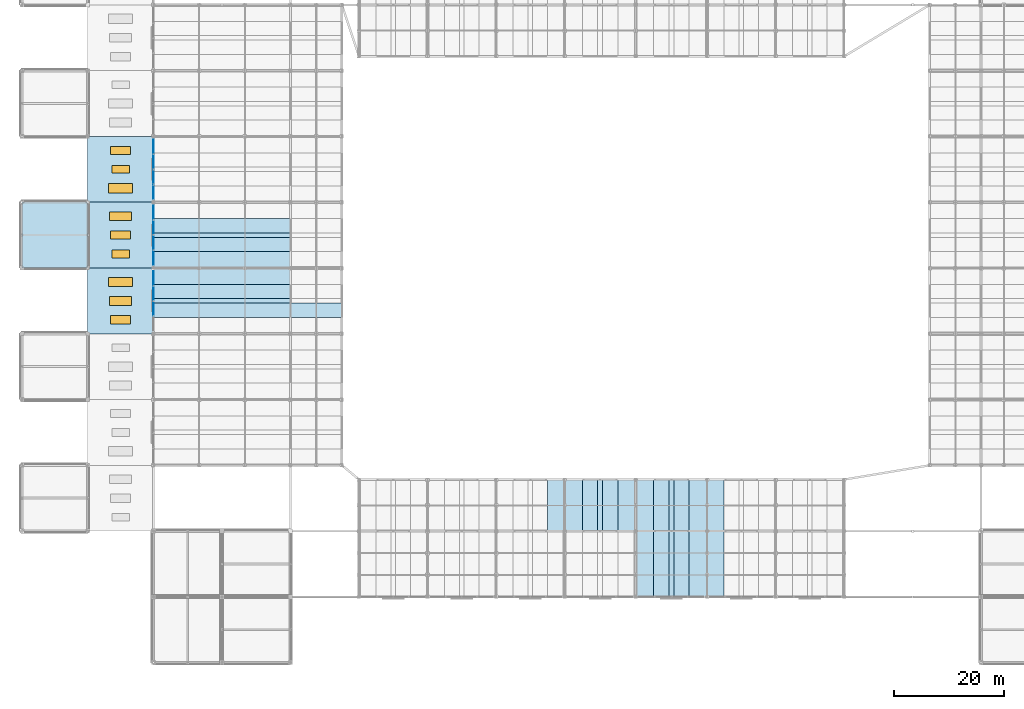
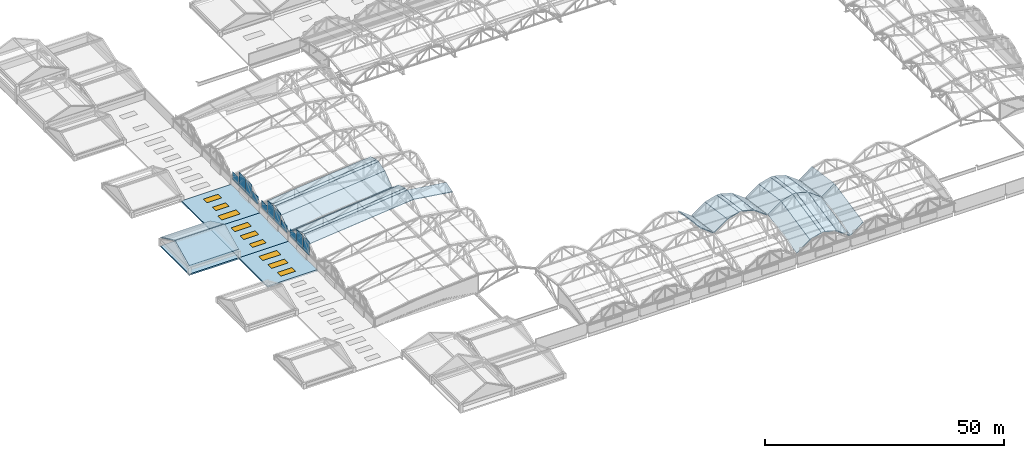
"""IFC4 building model written with IfcOpenShell, lengths in metres."""

from ifc_helpers import new_model, si_unit, direction, frame, origin, origin_2d, place, context, subcontext, project, spatial, polyline, rectangle, outline, extrude, material, layer, layer_set, type_object, element, fill, save


model = new_model("IFC4")

# Units and contexts
model_context = context("Model", 3, precision=1e-05, world=origin(), true_north=direction((0.0, 1.0)))
body_context = subcontext(model_context, "Body", "Model", "MODEL_VIEW")
ifc_project = project(units=[si_unit("LENGTHUNIT", "METRE"), si_unit("AREAUNIT", "SQUARE_METRE"), si_unit("VOLUMEUNIT", "CUBIC_METRE"), si_unit("PLANEANGLEUNIT", "RADIAN"), si_unit("MASSUNIT", "GRAM", prefix="KILO")], contexts=[model_context])

# Site, building, storey
site_placement = place(None, origin())
site = spatial("IfcSite", under=ifc_project, at=site_placement, CompositionType="ELEMENT")
building_placement = place(site_placement, origin())
building = spatial("IfcBuilding", under=site, at=building_placement, Name="Kazenohara Klinker Stadium", CompositionType="ELEMENT")
storey_1_placement = place(building_placement, frame((0.0, 0.0, 31.199951171875)))
storey_1 = spatial("IfcBuildingStorey", under=building, at=storey_1_placement, Name="RF", CompositionType="ELEMENT", Elevation=31.199951171875)

# Plates
ifc_material_1 = material(Name="Low-e laminated triple glazing", Category="glass")
ifc_layer_1 = layer(ifc_material_1, 0.0439453125)
ifc_layer_set_1 = layer_set([ifc_layer_1], Name="Low-e laminated triple glazing")
plate_type_1 = type_object("IfcPlateType", Name="PLT-GLZ-CLER", PredefinedType="USERDEFINED", material=ifc_layer_set_1)
for number, where, z_axis, x_axis, name in (
    (1, (24.0, 76.6201171875, 1.650146484375), (0.0, 0.0, 1.0), (1.0, 0.0, 0.0), "Arched barrel clerestory glazing panel CP02 W-03-Q2"),
    (2, (24.0, 79.3798828125, 1.650146484375), (0.0, 0.0, 1.0), (1.0, 0.0, 0.0), "Arched barrel clerestory glazing panel CP02 W-03-Q3"),
):
    element("IfcPlate", number, at=place(storey_1_placement, frame(where, z_axis=z_axis, x_axis=x_axis)), inside=storey_1, type_object=plate_type_1, Name=name, ObjectType="CLERESTORY GLAZING", PredefinedType="USERDEFINED", context=body_context, shape_type="SweptSolid", body=[
        extrude(rectangle(XDim=0.0439453125, YDim=2.639892578125, at=origin_2d()), origin(), (0.0, 0.0, 1.0), 3.5),
    ])
for number, where, z_axis, x_axis, name in (
    (3, (24.0, 82.110107421875, 1.650146484375), (0.0, 0.0, 1.0), (1.0, 0.0, 0.0), "Arched barrel clerestory glazing panel CP02 W-03-Q4"),
    (4, (24.0, 85.889892578125, 1.650146484375), (0.0, 0.0, 1.0), (1.0, 0.0, 0.0), "Arched barrel clerestory glazing panel CP02 W-04-Q1"),
):
    element("IfcPlate", number, at=place(storey_1_placement, frame(where, z_axis=z_axis, x_axis=x_axis)), inside=storey_1, type_object=plate_type_1, Name=name, ObjectType="CLERESTORY GLAZING", PredefinedType="USERDEFINED", context=body_context, shape_type="SweptSolid", body=[
        extrude(rectangle(XDim=0.0439453125, YDim=2.580078125, at=origin_2d()), origin(), (0.0, 0.0, 1.0), 2.0),
    ])
for number, where, z_axis, x_axis, name in (
    (5, (24.0, 88.6201171875, 1.650146484375), (0.0, 0.0, 1.0), (1.0, 0.0, 0.0), "Arched barrel clerestory glazing panel CP02 W-04-Q2"),
    (6, (24.0, 91.3798828125, 1.650146484375), (0.0, 0.0, 1.0), (1.0, 0.0, 0.0), "Arched barrel clerestory glazing panel CP02 W-04-Q3"),
):
    element("IfcPlate", number, at=place(storey_1_placement, frame(where, z_axis=z_axis, x_axis=x_axis)), inside=storey_1, type_object=plate_type_1, Name=name, ObjectType="CLERESTORY GLAZING", PredefinedType="USERDEFINED", context=body_context, shape_type="SweptSolid", body=[
        extrude(rectangle(XDim=0.0439453125, YDim=2.639892578125, at=origin_2d()), origin(), (0.0, 0.0, 1.0), 3.5),
    ])
for number, where, z_axis, x_axis, name in (
    (7, (24.0, 94.110107421875, 1.650146484375), (0.0, 0.0, 1.0), (1.0, 0.0, 0.0), "Arched barrel clerestory glazing panel CP02 W-04-Q4"),
    (8, (24.0, 97.889892578125, 1.650146484375), (0.0, 0.0, 1.0), (1.0, 0.0, 0.0), "Arched barrel clerestory glazing panel CP02 W-05-Q1"),
):
    element("IfcPlate", number, at=place(storey_1_placement, frame(where, z_axis=z_axis, x_axis=x_axis)), inside=storey_1, type_object=plate_type_1, Name=name, ObjectType="CLERESTORY GLAZING", PredefinedType="USERDEFINED", context=body_context, shape_type="SweptSolid", body=[
        extrude(rectangle(XDim=0.0439453125, YDim=2.580078125, at=origin_2d()), origin(), (0.0, 0.0, 1.0), 2.0),
    ])
for number, where, z_axis, x_axis, name in (
    (9, (24.0, 100.6201171875, 1.650146484375), (0.0, 0.0, 1.0), (1.0, 0.0, 0.0), "Arched barrel clerestory glazing panel CP02 W-05-Q2"),
    (10, (24.0, 103.3798828125, 1.650146484375), (0.0, 0.0, 1.0), (1.0, 0.0, 0.0), "Arched barrel clerestory glazing panel CP02 W-05-Q3"),
):
    element("IfcPlate", number, at=place(storey_1_placement, frame(where, z_axis=z_axis, x_axis=x_axis)), inside=storey_1, type_object=plate_type_1, Name=name, ObjectType="CLERESTORY GLAZING", PredefinedType="USERDEFINED", context=body_context, shape_type="SweptSolid", body=[
        extrude(rectangle(XDim=0.0439453125, YDim=2.639892578125, at=origin_2d()), origin(), (0.0, 0.0, 1.0), 3.5),
    ])
plate_1_placement = place(storey_1_placement, frame((24.0, 106.110107421875, 1.650146484375), z_axis=(0.0, 0.0, 1.0), x_axis=(1.0, 0.0, 0.0)))
element("IfcPlate", 11, at=plate_1_placement, inside=storey_1, type_object=plate_type_1, Name="Arched barrel clerestory glazing panel CP02 W-05-Q4", ObjectType="CLERESTORY GLAZING", PredefinedType="USERDEFINED", context=body_context, shape_type="SweptSolid", body=[
    extrude(rectangle(XDim=0.0439453125, YDim=2.580078125, at=origin_2d()), origin(), (0.0, 0.0, 1.0), 2.0),
])
ifc_material_2 = material(Name="Low-e laminated skylight triple glazing", Category="glass")
ifc_layer_2 = layer(ifc_material_2, 0.048095703125)
ifc_layer_set_2 = layer_set([ifc_layer_2], Name="Low-e laminated skylight triple glazing")
plate_type_2 = type_object("IfcPlateType", Name="PLT-GLZ-VALLEY", PredefinedType="USERDEFINED", material=ifc_layer_set_2)
for number, where, z_axis, x_axis, name in (
    (12, (24.0, 77.580078125, 5.670166015625), (-0.101465808577, 0.0, 0.994839027024), (0.994839027024, 0.0, 0.101465808577), "Barrel-shell valley skylight glazing joint SKG1 W-03-OUT"),
    (13, (24.0, 89.580078125, 5.670166015625), (-0.101465808577, 0.0, 0.994839027024), (0.994839027024, 0.0, 0.101465808577), "Barrel-shell valley skylight glazing joint SKG1 W-04-OUT"),
):
    element("IfcPlate", number, at=place(storey_1_placement, frame(where, z_axis=z_axis, x_axis=x_axis)), inside=storey_1, type_object=plate_type_2, Name=name, ObjectType="SKYLIGHT GLAZING", PredefinedType="USERDEFINED", context=body_context, shape_type="SweptSolid", body=[
        extrude(outline(polyline([(0.0, 0.0), (25.129693669927555, 0.0), (25.129693669927555, 0.8398437499999999), (0.0, 0.8398437499999999), (0.0, 0.0)])), origin(), (0.0, 0.0, -1.0), 0.048095703125),
    ])
plate_2_placement = place(storey_1_placement, frame((105.044921875, 36.0, 8.219970703125), z_axis=(0.0, 0.142144768244, 0.989845879347), x_axis=(0.0, 0.989845879347, -0.142144768244)))
element("IfcPlate", 14, at=plate_2_placement, inside=storey_1, type_object=plate_type_2, Name="Barrel-shell valley skylight glazing joint SKG1 S-04-IN", ObjectType="SKYLIGHT GLAZING", PredefinedType="USERDEFINED", context=body_context, shape_type="SweptSolid", body=[
    extrude(outline(polyline([(0.0, 0.0), (9.496329216369972, 0.0), (9.496329216369972, -0.91015625), (0.0, -0.91015625), (0.0, 0.0)])), origin(), (0.0, 0.0, -1.0), 0.048095703125),
])
plate_3_placement = place(storey_1_placement, frame((118.044921875, 24.0, 5.670166015625), z_axis=(0.0, -0.207843523042, 0.978162087759), x_axis=(0.0, 0.978162087759, 0.207843523042)))
element("IfcPlate", 15, at=plate_3_placement, inside=storey_1, type_object=plate_type_2, Name="Barrel-shell valley skylight glazing joint SKG1 S-05-OUT", ObjectType="SKYLIGHT GLAZING", PredefinedType="USERDEFINED", context=body_context, shape_type="SweptSolid", body=[
    extrude(outline(polyline([(0.0, 0.0), (12.26790544242973, 0.0), (12.26790544242973, -0.91015625), (0.0, -0.91015625), (0.0, 0.0)])), origin(), (0.0, 0.0, -1.0), 0.048095703125),
])
plate_4_placement = place(storey_1_placement, frame((118.044921875, 36.0, 8.219970703125), z_axis=(0.0, 0.142144768244, 0.989845879347), x_axis=(0.0, 0.989845879347, -0.142144768244)))
element("IfcPlate", 16, at=plate_4_placement, inside=storey_1, type_object=plate_type_2, Name="Barrel-shell valley skylight glazing joint SKG1 S-05-IN", ObjectType="SKYLIGHT GLAZING", PredefinedType="USERDEFINED", context=body_context, shape_type="SweptSolid", body=[
    extrude(outline(polyline([(0.0, 0.0), (9.496329216369972, 0.0), (9.496329216369972, -0.91015625), (0.0, -0.91015625), (0.0, 0.0)])), origin(), (0.0, 0.0, -1.0), 0.048095703125),
])

# Slabs
ifc_material_3 = material(Name="Steel S355", Category="steel")
ifc_layer_3 = layer(ifc_material_3, 0.18994140625)
ifc_layer_set_3 = layer_set([ifc_layer_3], Name="Steel S355")
slab_type_1 = type_object("IfcSlabType", Name="SLB-ROOF-190", PredefinedType="ROOF", material=ifc_layer_set_3)
for number, where, z_axis, x_axis, name in (
    (17, (0.0, 84.0, 2.170166015625), (0.0, -0.432265110206, 0.901746568887), (1.0, 0.0, 0.0), "Pitched turret crown roof slab RS03 WPAV-07-A"),
    (18, (0.0, 90.054931640625, 5.02001953125), (0.0, 0.432265110206, 0.901746568887), (1.0, 0.0, 0.0), "Pitched turret crown roof slab RS03 WPAV-07-B"),
):
    element("IfcSlab", number, at=place(storey_1_placement, frame(where, z_axis=z_axis, x_axis=x_axis)), inside=storey_1, type_object=slab_type_1, Name=name, PredefinedType="ROOF", context=body_context, shape_type="SweptSolid", body=[
        extrude(outline(polyline([(0.0, 0.0), (12.0, 0.0), (12.0, 6.592837238864761), (0.0, 6.592837238864761), (0.0, 0.0)])), origin(), (0.0, 0.0, -1.0), 0.18994140625),
    ])
slab_1_placement = place(storey_1_placement, frame((24.0, 75.0, 4.8701171875), z_axis=(-0.097078068979, -0.291039160051, 0.951773111535), x_axis=(0.994838495138, 1.345573e-06, 0.101471023396)))
element("IfcSlab", 19, at=slab_1_placement, inside=storey_1, type_object=slab_type_1, Name="Scalloped barrel-arch canopy slab W-03 outer strip 2", PredefinedType="ROOF", context=body_context, shape_type="SweptSolid", body=[
    extrude(outline(polyline([(0.0, 0.0), (25.129718442758627, 0.0), (25.210878962890696, 2.7342974924050907), (0.08118529333114288, 2.734368180107577), (0.0, 0.0)])), origin(), (0.0, 0.0, -1.0), 0.18994140625),
])
slab_2_placement = place(storey_1_placement, frame((49.0, 75.0, 7.420166015625), z_axis=(0.136061259308, -0.289700944037, 0.947396800047), x_axis=(0.989843918815, -3.528048e-06, -0.142158419982)))
element("IfcSlab", 20, at=slab_2_placement, inside=storey_1, type_object=slab_type_1, Name="Scalloped barrel-arch canopy slab W-03 inner strip 2", PredefinedType="ROOF", context=body_context, shape_type="SweptSolid", body=[
    extrude(outline(polyline([(0.0, 0.0), (9.49636392205321, 0.0), (9.382621015480932, 2.733207446859171), (-0.11370819992677195, 2.733137437523795), (0.0, 0.0)])), origin(), (0.0, 0.0, -1.0), 0.18994140625),
])
slab_3_placement = place(storey_1_placement, frame((24.0, 78.384033203125, 5.670166015625), z_axis=(-0.097078068979, 0.291039160051, 0.951773111535), x_axis=(0.994838578209, 1.345574e-06, 0.101470208953)))
element("IfcSlab", 21, at=slab_3_placement, inside=storey_1, type_object=slab_type_1, Name="Scalloped barrel-arch canopy slab W-03 outer strip 3", PredefinedType="ROOF", context=body_context, shape_type="SweptSolid", body=[
    extrude(outline(polyline([(0.0, 0.0), (25.12969366965898, -1.1102230246251565e-16), (25.04854084087477, 2.734297720691951), (-0.08117760178444054, 2.734368408464122), (0.0, 0.0)])), origin(), (0.0, 0.0, -1.0), 0.18994140625),
])
slab_4_placement = place(storey_1_placement, frame((24.0, 81.0, 4.8701171875), z_axis=(-0.079397405078, 0.622738677702, 0.778391027287), x_axis=(0.994838046303, 0.0, 0.101475423766)))
element("IfcSlab", 22, at=slab_4_placement, inside=storey_1, type_object=slab_type_1, Name="Scalloped barrel-arch canopy slab W-03 outer strip 4", PredefinedType="ROOF", context=body_context, shape_type="SweptSolid", body=[
    extrude(outline(polyline([(0.0, 0.0), (25.129718443027205, 0.0), (24.891043093280846, 3.7574502561158964), (-0.2386753497463593, 3.757450256115897), (0.0, 0.0)])), origin(), (0.0, 0.0, -1.0), 0.18994140625),
])
slab_5_placement = place(storey_1_placement, frame((24.0, 84.06005859375, 2.51806640625), z_axis=(-0.079397405078, -0.622738677702, 0.778391027287), x_axis=(0.994838046303, 0.0, 0.101475423766)))
element("IfcSlab", 23, at=slab_5_placement, inside=storey_1, type_object=slab_type_1, Name="Scalloped barrel-arch canopy slab W-04 outer strip 1", PredefinedType="ROOF", context=body_context, shape_type="SweptSolid", body=[
    extrude(outline(polyline([(0.0, 0.0), (25.129718443027205, 0.0), (25.368393792773563, 3.757450256115897), (0.2386753497463593, 3.757450256115897), (0.0, 0.0)])), origin(), (0.0, 0.0, -1.0), 0.18994140625),
])
slab_6_placement = place(storey_1_placement, frame((24.0, 87.0, 4.8701171875), z_axis=(-0.097078068979, -0.291039160051, 0.951773111535), x_axis=(0.994838495138, 1.345573e-06, 0.101471023396)))
element("IfcSlab", 24, at=slab_6_placement, inside=storey_1, type_object=slab_type_1, Name="Scalloped barrel-arch canopy slab W-04 outer strip 2", PredefinedType="ROOF", context=body_context, shape_type="SweptSolid", body=[
    extrude(outline(polyline([(0.0, 0.0), (25.129718442758627, 0.0), (25.210878962890696, 2.7342974924050907), (0.08118529333114288, 2.734368180107577), (0.0, 0.0)])), origin(), (0.0, 0.0, -1.0), 0.18994140625),
])
slab_7_placement = place(storey_1_placement, frame((24.0, 90.384033203125, 5.670166015625), z_axis=(-0.097078068979, 0.291039160051, 0.951773111535), x_axis=(0.994838578209, 1.345574e-06, 0.101470208953)))
element("IfcSlab", 25, at=slab_7_placement, inside=storey_1, type_object=slab_type_1, Name="Scalloped barrel-arch canopy slab W-04 outer strip 3", PredefinedType="ROOF", context=body_context, shape_type="SweptSolid", body=[
    extrude(outline(polyline([(0.0, 0.0), (25.12969366965898, -1.1102230246251565e-16), (25.04854084087477, 2.734297720691951), (-0.08117760178444054, 2.734368408464122), (0.0, 0.0)])), origin(), (0.0, 0.0, -1.0), 0.18994140625),
])
slab_8_placement = place(storey_1_placement, frame((95.875, 36.0, 7.420166015625), z_axis=(0.605191890352, 0.113178607114, 0.787993260595), x_axis=(0.0, 0.989842261755, -0.1421699576)))
element("IfcSlab", 26, at=slab_8_placement, inside=storey_1, type_object=slab_type_1, Name="Scalloped barrel-arch canopy slab S-03 inner strip 4", PredefinedType="ROOF", context=body_context, shape_type="SweptSolid", body=[
    extrude(outline(polyline([(0.0, 0.0), (9.496363922757409, 1.1102230246251565e-16), (9.830754882600127, -3.8469769707595334), (0.33439095984271777, -3.846976970759534), (0.0, 0.0)])), origin(), (0.0, 0.0, -1.0), 0.18994140625),
])
slab_9_placement = place(storey_1_placement, frame((99.06494140625, 36.0, 5.068115234375), z_axis=(-0.590118441412, 0.114776178456, 0.799116170506), x_axis=(0.0, 0.989842261755, -0.1421699576)))
element("IfcSlab", 27, at=slab_9_placement, inside=storey_1, type_object=slab_type_1, Name="Scalloped barrel-arch canopy slab S-04 inner strip 1", PredefinedType="ROOF", context=body_context, shape_type="SweptSolid", body=[
    extrude(outline(polyline([(0.0, 0.0), (9.496363922757409, -1.1102230246251565e-16), (9.16197296291469, -3.9452406528848067), (-0.33439095984271777, -3.9452406528848067), (0.0, 0.0)])), origin(), (0.0, 0.0, -1.0), 0.18994140625),
])
slab_10_placement = place(storey_1_placement, frame((102.25, 36.0, 7.420166015625), z_axis=(-0.269090093671, 0.136913889971, 0.953333681468), x_axis=(-3.29758e-06, 0.989843939648, -0.142158274928)))
element("IfcSlab", 28, at=slab_10_placement, inside=storey_1, type_object=slab_type_1, Name="Scalloped barrel-arch canopy slab S-04 inner strip 2", PredefinedType="ROOF", context=body_context, shape_type="SweptSolid", body=[
    extrude(outline(polyline([(0.0, 0.0), (9.496363922044354, 0.0), (9.38262101548968, -2.942551291446587), (-0.11370819994458485, -2.942486262943912), (0.0, 0.0)])), origin(), (0.0, 0.0, -1.0), 0.18994140625),
])
slab_11_placement = place(storey_1_placement, frame((105.916015625, 36.0, 8.219970703125), z_axis=(0.269090093671, 0.136913889971, 0.953333681468), x_axis=(-3.297592e-06, 0.989844201596, -0.14215645098)))
element("IfcSlab", 29, at=slab_11_placement, inside=storey_1, type_object=slab_type_1, Name="Scalloped barrel-arch canopy slab S-04 inner strip 3", PredefinedType="ROOF", context=body_context, shape_type="SweptSolid", body=[
    extrude(outline(polyline([(0.0, 0.0), (9.496329215656914, 0.0), (9.610051972348888, -2.9425520702607555), (0.11368805052718453, -2.9424870415204203), (0.0, 0.0)])), origin(), (0.0, 0.0, -1.0), 0.18994140625),
])
slab_12_placement = place(storey_1_placement, frame((108.75, 36.0, 7.420166015625), z_axis=(0.590118441412, 0.114776178456, 0.799116170506), x_axis=(0.0, 0.989842261755, -0.1421699576)))
element("IfcSlab", 30, at=slab_12_placement, inside=storey_1, type_object=slab_type_1, Name="Scalloped barrel-arch canopy slab S-04 inner strip 4", PredefinedType="ROOF", context=body_context, shape_type="SweptSolid", body=[
    extrude(outline(polyline([(0.0, 0.0), (9.496363922757409, 1.1102230246251565e-16), (9.830754882600127, -3.9452406528848063), (0.33439095984271777, -3.9452406528848067), (0.0, 0.0)])), origin(), (0.0, 0.0, -1.0), 0.18994140625),
])
slab_13_placement = place(storey_1_placement, frame((112.06494140625, 24.0, 2.51806640625), z_axis=(-0.585550314677, -0.168500890819, 0.79293018531), x_axis=(0.0, 0.978158041674, 0.207862563991)))
element("IfcSlab", 31, at=slab_13_placement, inside=storey_1, type_object=slab_type_1, Name="Scalloped barrel-arch canopy slab S-05 outer strip 1", PredefinedType="ROOF", context=body_context, shape_type="SweptSolid", body=[
    extrude(outline(polyline([(0.0, 0.0), (12.267956187801687, 2.220446049250313e-16), (12.75685949382921, -3.929085730873637), (0.48890330602752313, -3.929085730873637), (0.0, 0.0)])), origin(), (0.0, 0.0, -1.0), 0.18994140625),
])
slab_14_placement = place(storey_1_placement, frame((112.06494140625, 36.0, 5.068115234375), z_axis=(-0.590118441412, 0.114776178456, 0.799116170506), x_axis=(0.0, 0.989842261755, -0.1421699576)))
element("IfcSlab", 32, at=slab_14_placement, inside=storey_1, type_object=slab_type_1, Name="Scalloped barrel-arch canopy slab S-05 inner strip 1", PredefinedType="ROOF", context=body_context, shape_type="SweptSolid", body=[
    extrude(outline(polyline([(0.0, 0.0), (9.496363922757409, -1.1102230246251565e-16), (9.16197296291469, -3.9452406528848067), (-0.33439095984271777, -3.9452406528848067), (0.0, 0.0)])), origin(), (0.0, 0.0, -1.0), 0.18994140625),
])
slab_15_placement = place(storey_1_placement, frame((115.25, 24.0, 4.8701171875), z_axis=(-0.266140012062, -0.200356695204, 0.942882118118), x_axis=(2.496925e-06, 0.978159921463, 0.207853717884)))
element("IfcSlab", 33, at=slab_15_placement, inside=storey_1, type_object=slab_type_1, Name="Scalloped barrel-arch canopy slab S-05 outer strip 2", PredefinedType="ROOF", context=body_context, shape_type="SweptSolid", body=[
    extrude(outline(polyline([(0.0, 0.0), (12.267956187261762, 0.0), (12.43420564138465, -2.9399857281366906), (0.16630019965948178, -2.940049284531471), (0.0, 0.0)])), origin(), (0.0, 0.0, -1.0), 0.18994140625),
])
slab_16_placement = place(storey_1_placement, frame((115.25, 36.0, 7.420166015625), z_axis=(-0.269090093671, 0.136913889971, 0.953333681468), x_axis=(-3.29758e-06, 0.989843939648, -0.142158274928)))
element("IfcSlab", 34, at=slab_16_placement, inside=storey_1, type_object=slab_type_1, Name="Scalloped barrel-arch canopy slab S-05 inner strip 2", PredefinedType="ROOF", context=body_context, shape_type="SweptSolid", body=[
    extrude(outline(polyline([(0.0, 0.0), (9.496363922044354, 0.0), (9.38262101548968, -2.942551291446587), (-0.11370819994458485, -2.942486262943912), (0.0, 0.0)])), origin(), (0.0, 0.0, -1.0), 0.18994140625),
])
slab_17_placement = place(storey_1_placement, frame((118.916015625, 24.0, 5.670166015625), z_axis=(0.266140012062, -0.200356695204, 0.942882118118), x_axis=(2.496935e-06, 0.978160208049, 0.207852369204)))
element("IfcSlab", 35, at=slab_17_placement, inside=storey_1, type_object=slab_type_1, Name="Scalloped barrel-arch canopy slab S-05 outer strip 3", PredefinedType="ROOF", context=body_context, shape_type="SweptSolid", body=[
    extrude(outline(polyline([(0.0, 0.0), (12.267905441889804, -1.1102230246251565e-16), (12.101671218966882, -2.9399865893865567), (-0.1662849681302476, -2.940050146044234), (0.0, 0.0)])), origin(), (0.0, 0.0, -1.0), 0.18994140625),
])
slab_18_placement = place(storey_1_placement, frame((118.916015625, 36.0, 8.219970703125), z_axis=(0.269090093671, 0.136913889971, 0.953333681468), x_axis=(-3.297592e-06, 0.989844201596, -0.14215645098)))
element("IfcSlab", 36, at=slab_18_placement, inside=storey_1, type_object=slab_type_1, Name="Scalloped barrel-arch canopy slab S-05 inner strip 3", PredefinedType="ROOF", context=body_context, shape_type="SweptSolid", body=[
    extrude(outline(polyline([(0.0, 0.0), (9.496329215656914, 0.0), (9.610051972348888, -2.9425520702607555), (0.11368805052718453, -2.9424870415204203), (0.0, 0.0)])), origin(), (0.0, 0.0, -1.0), 0.18994140625),
])
slab_19_placement = place(storey_1_placement, frame((121.75, 24.0, 4.8701171875), z_axis=(0.585550314677, -0.168500890819, 0.79293018531), x_axis=(0.0, 0.978158041674, 0.207862563991)))
element("IfcSlab", 37, at=slab_19_placement, inside=storey_1, type_object=slab_type_1, Name="Scalloped barrel-arch canopy slab S-05 outer strip 4", PredefinedType="ROOF", context=body_context, shape_type="SweptSolid", body=[
    extrude(outline(polyline([(0.0, 0.0), (12.267956187801687, -2.220446049250313e-16), (11.779052881774163, -3.9290857308736378), (-0.48890330602752313, -3.929085730873637), (0.0, 0.0)])), origin(), (0.0, 0.0, -1.0), 0.18994140625),
])
slab_20_placement = place(storey_1_placement, frame((121.75, 36.0, 7.420166015625), z_axis=(0.590118441412, 0.114776178456, 0.799116170506), x_axis=(0.0, 0.989842261755, -0.1421699576)))
element("IfcSlab", 38, at=slab_20_placement, inside=storey_1, type_object=slab_type_1, Name="Scalloped barrel-arch canopy slab S-05 inner strip 4", PredefinedType="ROOF", context=body_context, shape_type="SweptSolid", body=[
    extrude(outline(polyline([(0.0, 0.0), (9.496363922757409, 1.1102230246251565e-16), (9.830754882600127, -3.9452406528848063), (0.33439095984271777, -3.9452406528848067), (0.0, 0.0)])), origin(), (0.0, 0.0, -1.0), 0.18994140625),
])
slab_21_placement = place(storey_1_placement, frame((125.0625, 24.0, 2.51806640625), z_axis=(-0.600635128848, -0.166190954627, 0.782060105487), x_axis=(0.0, 0.978158041674, 0.207862563991)))
element("IfcSlab", 39, at=slab_21_placement, inside=storey_1, type_object=slab_type_1, Name="Scalloped barrel-arch canopy slab S-06 outer strip 1", PredefinedType="ROOF", context=body_context, shape_type="SweptSolid", body=[
    extrude(outline(polyline([(0.0, 0.0), (12.267956187801687, 0.0), (12.75685949382921, -3.8304076395253412), (0.48890330602752313, -3.8304076395253412), (0.0, 0.0)])), origin(), (0.0, 0.0, -1.0), 0.18994140625),
])
slab_22_placement = place(storey_1_placement, frame((125.0625, 36.0, 5.068115234375), z_axis=(-0.605191890352, 0.113178607114, 0.787993260595), x_axis=(0.0, 0.989842261755, -0.1421699576)))
element("IfcSlab", 40, at=slab_22_placement, inside=storey_1, type_object=slab_type_1, Name="Scalloped barrel-arch canopy slab S-06 inner strip 1", PredefinedType="ROOF", context=body_context, shape_type="SweptSolid", body=[
    extrude(outline(polyline([(0.0, 0.0), (9.496363922757409, -1.1102230246251565e-16), (9.16197296291469, -3.846976970759534), (-0.33439095984271777, -3.846976970759534), (0.0, 0.0)])), origin(), (0.0, 0.0, -1.0), 0.18994140625),
])
ifc_material_4 = material(Name="Concrete C40/50", Category="concrete")
ifc_layer_4 = layer(ifc_material_4, 0.360107421875)
ifc_layer_set_4 = layer_set([ifc_layer_4], Name="Concrete C40/50")
slab_type_2 = type_object("IfcSlabType", Name="SLB-ROOF-360", PredefinedType="ROOF", material=ifc_layer_set_4)
slab_23_placement = place(storey_1_placement, frame((0.0, 0.0, -0.35986328125)))
element("IfcSlab", 41, at=slab_23_placement, inside=storey_1, type_object=slab_type_2, Name="Main roof deck slab RS01 RF 1/H", PredefinedType="ROOF", context=body_context, shape_type="SweptSolid", body=[
    extrude(outline(polyline([(0.0, 84.0), (12.0, 84.0), (12.0, 96.0), (0.0, 96.0), (0.0, 84.0)])), origin(), (0.0, 0.0, 1.0), 0.35986328125),
])

# Slab, openings
slab_24_placement = place(storey_1_placement, frame((0.0, 0.0, -0.35986328125)))
slab_24 = element("IfcSlab", 42, at=slab_24_placement, inside=storey_1, type_object=slab_type_2, Name="Main roof deck slab RS01 RF 2/G", PredefinedType="ROOF", context=body_context, shape_type="SweptSolid", body=[
    extrude(outline(polyline([(12.0, 72.0), (24.0, 72.0), (24.0, 84.0), (12.0, 84.0), (12.0, 72.0)])), origin(), (0.0, 0.0, 1.0), 0.35986328125),
])
opening_1_placement = place(slab_24_placement, frame((18.0, 74.550048828125, 0.0)))
opening_1 = element("IfcOpeningElement", 43, at=opening_1_placement, cuts=slab_24, Name="Opening SK02", PredefinedType="OPENING", context=body_context, shape_type="SweptSolid", body=[
    extrude(rectangle(XDim=3.60009765625, YDim=1.5, at=origin_2d()), origin(), (0.0, 0.0, 1.0), 0.35986328125),
])
opening_2_placement = place(slab_24_placement, frame((18.0, 78.0, 0.0)))
opening_2 = element("IfcOpeningElement", 44, at=opening_2_placement, cuts=slab_24, Name="Opening SK03", PredefinedType="OPENING", context=body_context, shape_type="SweptSolid", body=[
    extrude(rectangle(XDim=4.0, YDim=1.60009765625, at=origin_2d()), origin(), (0.0, 0.0, 1.0), 0.35986328125),
])
opening_3_placement = place(slab_24_placement, frame((18.0, 81.449951171875, 0.0)))
opening_3 = element("IfcOpeningElement", 45, at=opening_3_placement, cuts=slab_24, Name="Opening SK04", PredefinedType="OPENING", context=body_context, shape_type="SweptSolid", body=[
    extrude(rectangle(XDim=4.39990234375, YDim=1.699951171875, at=origin_2d()), origin(), (0.0, 0.0, 1.0), 0.35986328125),
])

# Storey
storey_2_placement = place(building_placement, frame((0.0, 0.0, 25.800048828125)))
storey_2 = spatial("IfcBuildingStorey", under=building, at=storey_2_placement, Name="L05", CompositionType="ELEMENT", Elevation=25.800048828125)

# Window
ifc_material_5 = material(Name="Thermally broken aluminium skylight glazing", Category="aluminium")
window_type_1 = type_object("IfcWindowType", Name="SKY-ARCH-02", PartitioningType="SINGLE_PANEL", PredefinedType="SKYLIGHT", material=ifc_material_5)
window_1_placement = place(opening_1_placement, frame((0.0, 0.0, 0.309814453125)))
window_1 = element("IfcWindow", 46, at=window_1_placement, inside=storey_2, type_object=window_type_1, Name="Media and press gallery roof skylight SK02-10", OverallHeight=1.5, OverallWidth=3.60009765625, PartitioningType="SINGLE_PANEL", PredefinedType="SKYLIGHT", context=body_context, shape_type="SweptSolid", body=[
    extrude(rectangle(XDim=3.60009765625, YDim=1.5, at=origin_2d()), origin(), (0.0, 0.0, 1.0), 0.050048828125),
])

fill(opening_1, window_1)

window_type_2 = type_object("IfcWindowType", Name="SKY-ARCH-03", PartitioningType="SINGLE_PANEL", PredefinedType="SKYLIGHT", material=ifc_material_5)
window_2_placement = place(opening_2_placement, frame((0.0, 0.0, 0.309814453125)))
window_2 = element("IfcWindow", 47, at=window_2_placement, inside=storey_2, type_object=window_type_2, Name="Media and press gallery roof skylight SK03-11", OverallHeight=1.60009765625, OverallWidth=4.0, PartitioningType="SINGLE_PANEL", PredefinedType="SKYLIGHT", context=body_context, shape_type="SweptSolid", body=[
    extrude(rectangle(XDim=4.0, YDim=1.60009765625, at=origin_2d()), origin(), (0.0, 0.0, 1.0), 0.050048828125),
])

fill(opening_2, window_2)

window_type_3 = type_object("IfcWindowType", Name="SKY-ARCH-04", PartitioningType="SINGLE_PANEL", PredefinedType="SKYLIGHT", material=ifc_material_5)
window_3_placement = place(opening_3_placement, frame((0.0, 0.0, 0.309814453125)))
window_3 = element("IfcWindow", 48, at=window_3_placement, inside=storey_2, type_object=window_type_3, Name="Media and press gallery roof skylight SK04-12", OverallHeight=1.699951171875, OverallWidth=4.39990234375, PartitioningType="SINGLE_PANEL", PredefinedType="SKYLIGHT", context=body_context, shape_type="SweptSolid", body=[
    extrude(rectangle(XDim=4.39990234375, YDim=1.699951171875, at=origin_2d()), origin(), (0.0, 0.0, 1.0), 0.050048828125),
])

fill(opening_3, window_3)

# Slab, openings, windows
slab_25_placement = place(storey_1_placement, frame((0.0, 0.0, -0.35986328125)))
slab_25 = element("IfcSlab", 49, at=slab_25_placement, inside=storey_1, type_object=slab_type_2, Name="Main roof deck slab RS01 RF 2/H", PredefinedType="ROOF", context=body_context, shape_type="SweptSolid", body=[
    extrude(outline(polyline([(12.0, 84.0), (24.0, 84.0), (24.0, 96.0), (12.0, 96.0), (12.0, 84.0)])), origin(), (0.0, 0.0, 1.0), 0.35986328125),
])
opening_4_placement = place(slab_25_placement, frame((18.0, 86.550048828125, 0.0)))
opening_4 = element("IfcOpeningElement", 50, at=opening_4_placement, cuts=slab_25, Name="Opening SK01", PredefinedType="OPENING", context=body_context, shape_type="SweptSolid", body=[
    extrude(rectangle(XDim=3.199951171875, YDim=1.39990234375, at=origin_2d()), origin(), (0.0, 0.0, 1.0), 0.35986328125),
])
opening_5_placement = place(slab_25_placement, frame((18.0, 90.0, 0.0)))
opening_5 = element("IfcOpeningElement", 51, at=opening_5_placement, cuts=slab_25, Name="Opening SK02", PredefinedType="OPENING", context=body_context, shape_type="SweptSolid", body=[
    extrude(rectangle(XDim=3.60009765625, YDim=1.5, at=origin_2d()), origin(), (0.0, 0.0, 1.0), 0.35986328125),
])
opening_6_placement = place(slab_25_placement, frame((18.0, 93.449951171875, 0.0)))
opening_6 = element("IfcOpeningElement", 52, at=opening_6_placement, cuts=slab_25, Name="Opening SK03", PredefinedType="OPENING", context=body_context, shape_type="SweptSolid", body=[
    extrude(rectangle(XDim=4.0, YDim=1.60009765625, at=origin_2d()), origin(), (0.0, 0.0, 1.0), 0.35986328125),
])
window_type_4 = type_object("IfcWindowType", Name="SKY-ARCH-01", PartitioningType="SINGLE_PANEL", PredefinedType="SKYLIGHT", material=ifc_material_5)
window_4_placement = place(opening_4_placement, frame((0.0, 0.0, 0.309814453125)))
window_4 = element("IfcWindow", 53, at=window_4_placement, inside=storey_2, type_object=window_type_4, Name="Media and press gallery roof skylight SK01-13", OverallHeight=1.39990234375, OverallWidth=3.199951171875, PartitioningType="SINGLE_PANEL", PredefinedType="SKYLIGHT", context=body_context, shape_type="SweptSolid", body=[
    extrude(rectangle(XDim=3.199951171875, YDim=1.39990234375, at=origin_2d()), origin(), (0.0, 0.0, 1.0), 0.050048828125),
])
fill(opening_4, window_4)
window_5_placement = place(opening_5_placement, frame((0.0, 0.0, 0.309814453125)))
window_5 = element("IfcWindow", 54, at=window_5_placement, inside=storey_2, type_object=window_type_1, Name="Media and press gallery roof skylight SK02-14", OverallHeight=1.5, OverallWidth=3.60009765625, PartitioningType="SINGLE_PANEL", PredefinedType="SKYLIGHT", context=body_context, shape_type="SweptSolid", body=[
    extrude(rectangle(XDim=3.60009765625, YDim=1.5, at=origin_2d()), origin(), (0.0, 0.0, 1.0), 0.050048828125),
])
fill(opening_5, window_5)
window_6_placement = place(opening_6_placement, frame((0.0, 0.0, 0.309814453125)))
window_6 = element("IfcWindow", 55, at=window_6_placement, inside=storey_2, type_object=window_type_2, Name="Media and press gallery roof skylight SK03-15", OverallHeight=1.60009765625, OverallWidth=4.0, PartitioningType="SINGLE_PANEL", PredefinedType="SKYLIGHT", context=body_context, shape_type="SweptSolid", body=[
    extrude(rectangle(XDim=4.0, YDim=1.60009765625, at=origin_2d()), origin(), (0.0, 0.0, 1.0), 0.050048828125),
])
fill(opening_6, window_6)

slab_26_placement = place(storey_1_placement, frame((0.0, 0.0, -0.35986328125)))
slab_26 = element("IfcSlab", 56, at=slab_26_placement, inside=storey_1, type_object=slab_type_2, Name="Main roof deck slab RS01 RF 2/J", PredefinedType="ROOF", context=body_context, shape_type="SweptSolid", body=[
    extrude(outline(polyline([(12.0, 96.0), (24.0, 96.0), (24.0, 108.0), (12.0, 108.0), (12.0, 96.0)])), origin(), (0.0, 0.0, 1.0), 0.35986328125),
])
opening_7_placement = place(slab_26_placement, frame((18.0, 98.550048828125, 0.0)))
opening_7 = element("IfcOpeningElement", 57, at=opening_7_placement, cuts=slab_26, Name="Opening SK04", PredefinedType="OPENING", context=body_context, shape_type="SweptSolid", body=[
    extrude(rectangle(XDim=4.39990234375, YDim=1.699951171875, at=origin_2d()), origin(), (0.0, 0.0, 1.0), 0.35986328125),
])
opening_8_placement = place(slab_26_placement, frame((18.0, 102.0, 0.0)))
opening_8 = element("IfcOpeningElement", 58, at=opening_8_placement, cuts=slab_26, Name="Opening SK01", PredefinedType="OPENING", context=body_context, shape_type="SweptSolid", body=[
    extrude(rectangle(XDim=3.199951171875, YDim=1.39990234375, at=origin_2d()), origin(), (0.0, 0.0, 1.0), 0.35986328125),
])
opening_9_placement = place(slab_26_placement, frame((18.0, 105.449951171875, 0.0)))
opening_9 = element("IfcOpeningElement", 59, at=opening_9_placement, cuts=slab_26, Name="Opening SK02", PredefinedType="OPENING", context=body_context, shape_type="SweptSolid", body=[
    extrude(rectangle(XDim=3.60009765625, YDim=1.5, at=origin_2d()), origin(), (0.0, 0.0, 1.0), 0.35986328125),
])
window_7_placement = place(opening_8_placement, frame((0.0, 0.0, 0.309814453125)))
window_7 = element("IfcWindow", 60, at=window_7_placement, inside=storey_2, type_object=window_type_4, Name="Media and press gallery roof skylight SK01-17", OverallHeight=1.39990234375, OverallWidth=3.199951171875, PartitioningType="SINGLE_PANEL", PredefinedType="SKYLIGHT", context=body_context, shape_type="SweptSolid", body=[
    extrude(rectangle(XDim=3.199951171875, YDim=1.39990234375, at=origin_2d()), origin(), (0.0, 0.0, 1.0), 0.050048828125),
])
fill(opening_8, window_7)
window_8_placement = place(opening_9_placement, frame((0.0, 0.0, 0.309814453125)))
window_8 = element("IfcWindow", 61, at=window_8_placement, inside=storey_2, type_object=window_type_1, Name="Media and press gallery roof skylight SK02-18", OverallHeight=1.5, OverallWidth=3.60009765625, PartitioningType="SINGLE_PANEL", PredefinedType="SKYLIGHT", context=body_context, shape_type="SweptSolid", body=[
    extrude(rectangle(XDim=3.60009765625, YDim=1.5, at=origin_2d()), origin(), (0.0, 0.0, 1.0), 0.050048828125),
])
fill(opening_9, window_8)
window_9_placement = place(opening_7_placement, frame((0.0, 0.0, 0.309814453125)))
window_9 = element("IfcWindow", 62, at=window_9_placement, inside=storey_2, type_object=window_type_3, Name="Media and press gallery roof skylight SK04-16", OverallHeight=1.699951171875, OverallWidth=4.39990234375, PartitioningType="SINGLE_PANEL", PredefinedType="SKYLIGHT", context=body_context, shape_type="SweptSolid", body=[
    extrude(rectangle(XDim=4.39990234375, YDim=1.699951171875, at=origin_2d()), origin(), (0.0, 0.0, 1.0), 0.050048828125),
])
fill(opening_7, window_9)

save(model, "model.ifc")
